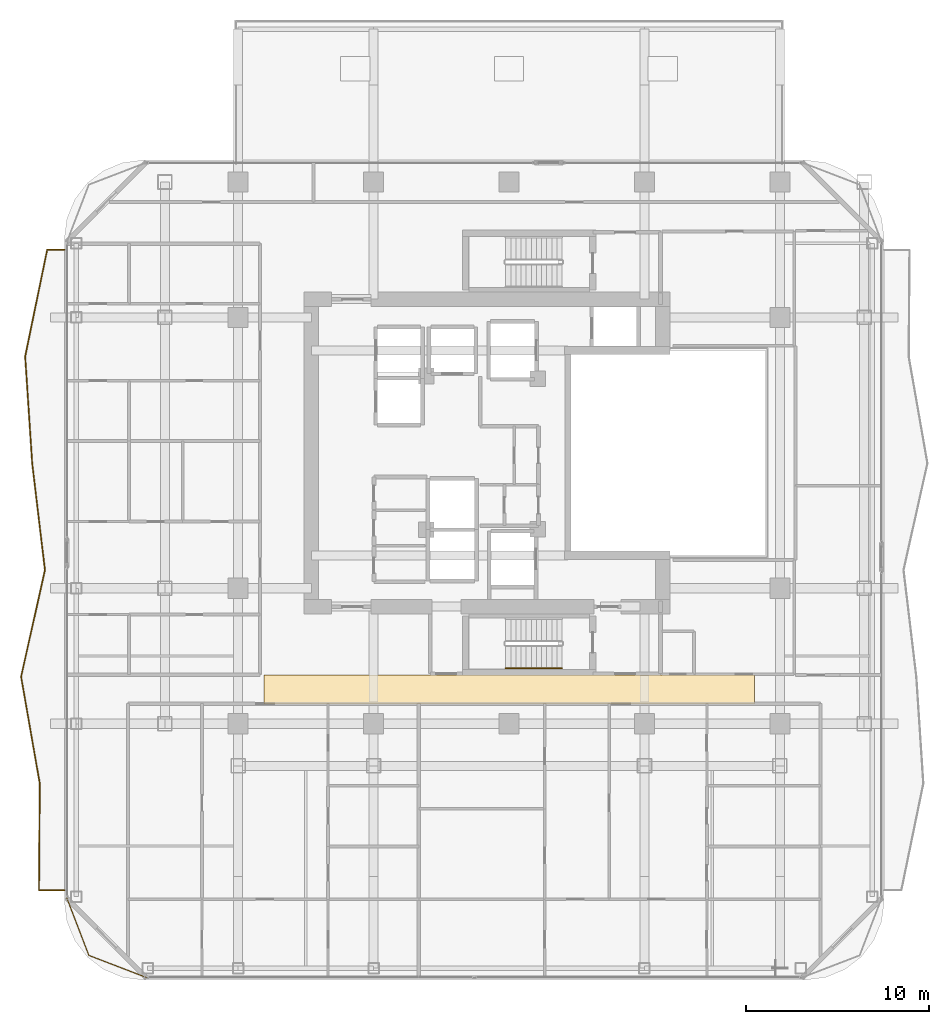
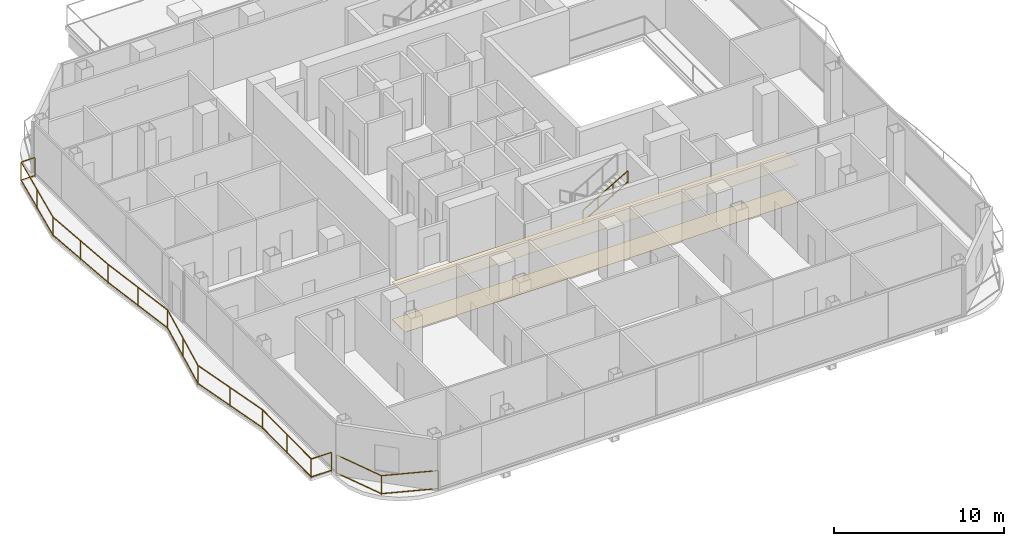
# One storey, part 22 of 24: 3 railings, 2 coverings.
"""IFC4 building model written with IfcOpenShell, lengths in metres."""

import ifcopenshell
import ifcopenshell.guid

model = None  # the IFC model being written
_history = None  # IfcOwnerHistory: only IFC2X3 demands one
_inside = {}  # id of a spatial element -> (the spatial element, [elements in it])
_under = {}  # id of a project, library or spatial element -> (it, [spatial elements below it])
_declared = {}  # id of a project -> (the project, [libraries it declares])
_typed = {}  # id of a type object -> (the type object, [elements of that type])
_made_of = {}  # id of a material, layer set ... -> (it, [elements and type objects made of it])


def new_model(schema):
    """Start an empty IFC model of exactly this schema.

    Asked for "IFC4X3", IfcOpenShell would pick the latest addendum, in which some entities
    have other attributes; the version numbers below select the first issue.
    IFC2X3 requires an IfcOwnerHistory on every rooted entity: one is made here for all.
    """
    global model, _history
    if schema == "IFC4X3":
        model = ifcopenshell.file(schema_version=(4, 3, 0, 0))
    else:
        model = ifcopenshell.file(schema=schema)
    _inside.clear()
    _under.clear()
    _declared.clear()
    _typed.clear()
    _made_of.clear()
    _history = None
    if model.schema == "IFC2X3":
        org = make("IfcOrganization", Name="unknown")
        user = make(
            "IfcPersonAndOrganization",
            ThePerson=make("IfcPerson", FamilyName="unknown"),
            TheOrganization=org,
        )
        app = make(
            "IfcApplication",
            ApplicationDeveloper=org,
            Version="unknown",
            ApplicationFullName="unknown",
            ApplicationIdentifier="unknown",
        )
        _history = make(
            "IfcOwnerHistory",
            OwningUser=user,
            OwningApplication=app,
            ChangeAction="ADDED",
            CreationDate=0,
        )
    return model


def make(cls, **values):
    """One entity of the class cls with the attributes given. An attribute that is None is left unset."""
    return model.create_entity(
        cls, **{name: value for name, value in values.items() if value is not None}
    )


def rooted(cls, **values):
    """An entity with a GlobalId (a new one), such as an element, a storey or a relation."""
    return make(cls, GlobalId=ifcopenshell.guid.new(), OwnerHistory=_history, **values)


def si_unit(unit_type, name, prefix=None):
    """IfcSIUnit, for example si_unit("LENGTHUNIT", "METRE", prefix="MILLI")."""
    return make("IfcSIUnit", UnitType=unit_type, Prefix=prefix, Name=name)


def assignment(units):
    """IfcUnitAssignment: the units of a project."""
    return None if units is None else make("IfcUnitAssignment", Units=units)


def point(xyz):
    """IfcCartesianPoint."""
    return None if xyz is None else make("IfcCartesianPoint", Coordinates=xyz)


def direction(xyz):
    """IfcDirection."""
    return None if xyz is None else make("IfcDirection", DirectionRatios=xyz)


def frame(location, z_axis=None, x_axis=None):
    """IfcAxis2Placement3D, a coordinate frame: its origin and axes. An axis left out is left unset."""
    return make(
        "IfcAxis2Placement3D",
        Location=point(location),
        Axis=direction(z_axis),
        RefDirection=direction(x_axis),
    )


def frame_2d(location, x_axis=None):
    """IfcAxis2Placement2D, a coordinate frame in the plane: its origin and x axis."""
    return make(
        "IfcAxis2Placement2D", Location=point(location), RefDirection=direction(x_axis)
    )


def origin():
    """The frame at (0, 0, 0) with its axes left unset."""
    return frame((0.0, 0.0, 0.0))


def origin_2d():
    """The frame at (0, 0) in the plane with its x axis left unset."""
    return frame_2d((0.0, 0.0))


def place(relative_to, where):
    """IfcLocalPlacement: puts the frame where relative to a parent placement (None: the world)."""
    return make(
        "IfcLocalPlacement", PlacementRelTo=relative_to, RelativePlacement=where
    )


def context(
    kind, dimensions, precision=None, world=None, true_north=None, identifier=None
):
    """IfcGeometricRepresentationContext, for example the 3D "Model" context."""
    return make(
        "IfcGeometricRepresentationContext",
        ContextIdentifier=identifier,
        ContextType=kind,
        CoordinateSpaceDimension=dimensions,
        Precision=precision,
        WorldCoordinateSystem=world,
        TrueNorth=true_north,
    )


def subcontext(parent, identifier, kind, view, scale=None):
    """IfcGeometricRepresentationSubContext, for example "Body" below "Model"."""
    return make(
        "IfcGeometricRepresentationSubContext",
        ContextIdentifier=identifier,
        ContextType=kind,
        ParentContext=parent,
        TargetScale=scale,
        TargetView=view,
    )


def project(units=None, contexts=None):
    """IfcProject with its units and contexts."""
    return rooted(
        "IfcProject",
        Name="project",
        RepresentationContexts=contexts,
        UnitsInContext=assignment(units),
    )


def spatial(cls, under=None, at=None, **own):
    """A site, building, storey or space (cls), placed at a placement, below another one or the project."""
    s = rooted(cls, ObjectPlacement=at, **own)
    if under is not None:
        _under.setdefault(under.id(), (under, []))[1].append(s)
    return s


def polyline(points):
    """IfcPolyline through the points."""
    return make("IfcPolyline", Points=[point(p) for p in points])


def profile(cls, at=None, kind="AREA", **sizes):
    """A parametric profile (cls). Its sizes go by their IFC names, for example OverallWidth=200.0."""
    return make(cls, ProfileType=kind, Position=at, **sizes)


def rectangle(**sizes):
    """IfcRectangleProfileDef."""
    return profile("IfcRectangleProfileDef", **sizes)


def outline(outer, holes=None, kind="AREA"):
    """IfcArbitraryClosedProfileDef: a profile drawn as a closed curve; with holes, ...WithVoids."""
    if holes is None:
        return make("IfcArbitraryClosedProfileDef", ProfileType=kind, OuterCurve=outer)
    return make(
        "IfcArbitraryProfileDefWithVoids",
        ProfileType=kind,
        OuterCurve=outer,
        InnerCurves=holes,
    )


def extrude(swept, where, along, depth):
    """IfcExtrudedAreaSolid: the profile swept, set in the frame where, extruded along a direction by depth."""
    return make(
        "IfcExtrudedAreaSolid",
        SweptArea=swept,
        Position=where,
        ExtrudedDirection=direction(along),
        Depth=depth,
    )


def shape(context_of_items, identifier, shape_type, items):
    """IfcShapeRepresentation: the items that make up one representation, for example the "Body"."""
    return make(
        "IfcShapeRepresentation",
        ContextOfItems=context_of_items,
        RepresentationIdentifier=identifier,
        RepresentationType=shape_type,
        Items=items,
    )


def material(Name=None, Category=None):
    """IfcMaterial."""
    return make("IfcMaterial", Name=Name, Category=Category)


def layer(
    of_material, thickness, ventilated=None, Name=None, Category=None, Priority=None
):
    """IfcMaterialLayer: one layer of a wall or slab, of a material (None: an air gap)."""
    return make(
        "IfcMaterialLayer",
        Material=of_material,
        LayerThickness=thickness,
        IsVentilated=ventilated,
        Name=Name,
        Category=Category,
        Priority=Priority,
    )


def layer_set(layers, Name=None):
    """IfcMaterialLayerSet."""
    return make("IfcMaterialLayerSet", MaterialLayers=layers, LayerSetName=Name)


def made_of(thing, what):
    """Note that an element or type object is made of a material, layer set ...; save() writes the relation."""
    if what is not None:
        _made_of.setdefault(what.id(), (what, []))[1].append(thing)
    return thing


def type_object(cls, material=None, **own):
    """A type object (cls), such as IfcWallType, which elements share."""
    return made_of(rooted(cls, **own), material)


def element(
    cls,
    number,
    at=None,
    inside=None,
    cuts=None,
    type_object=None,
    material=None,
    context=None,
    identifier="Body",
    shape_type=None,
    held_by="IfcProductDefinitionShape",
    body=None,
    shapes=None,
    **own,
):
    """One element of the class cls, such as IfcWall. Its Tag is "e" and its number.

    at: its placement. inside: the storey or other place that contains it. cuts: it is an
    opening in that element (IfcRelVoidsElement). A single representation is given by context,
    identifier, shape_type and body (its items); several are given by shapes. held_by: the class
    of the entity that holds the representations. save() writes the other relations.
    """
    e = rooted(cls, Tag="e%d" % number, ObjectPlacement=at, **own)
    if body is not None:
        shapes = [shape(context, identifier, shape_type, body)]
    if shapes is not None:
        e.Representation = make(held_by, Representations=shapes)
    if inside is not None:
        _inside.setdefault(inside.id(), (inside, []))[1].append(e)
    if cuts is not None:
        rooted(
            "IfcRelVoidsElement", RelatingBuildingElement=cuts, RelatedOpeningElement=e
        )
    if type_object is not None:
        _typed.setdefault(type_object.id(), (type_object, []))[1].append(e)
    return made_of(e, material)


def aggregate(whole, parts):
    """IfcRelAggregates: a whole, such as a stair, and the parts it consists of."""
    return rooted("IfcRelAggregates", RelatingObject=whole, RelatedObjects=parts)


def save(model, path):
    """Write the relations noted so far, then the file.

    IfcRelAggregates (storeys below a building ...), IfcRelContainedInSpatialStructure (elements
    in a storey), IfcRelDefinesByType, IfcRelAssociatesMaterial and IfcRelDeclares: one each for
    every whole, place, type object, material and project.
    """
    for whole, parts in _under.values():
        aggregate(whole, parts)
    for where, things in _inside.values():
        rooted(
            "IfcRelContainedInSpatialStructure",
            RelatedElements=things,
            RelatingStructure=where,
        )
    for kind, things in _typed.values():
        rooted("IfcRelDefinesByType", RelatedObjects=things, RelatingType=kind)
    for what, things in _made_of.values():
        rooted("IfcRelAssociatesMaterial", RelatedObjects=things, RelatingMaterial=what)
    for by, libraries in _declared.values():
        rooted("IfcRelDeclares", RelatingContext=by, RelatedDefinitions=libraries)
    model.write(path)


model = new_model("IFC4")

# Units and contexts
model_context = context("Model", 3, precision=1e-05, world=origin(), true_north=direction((0.0, 1.0)))
body_context = subcontext(model_context, "Body", "Model", "MODEL_VIEW")
ifc_project = project(units=[si_unit("LENGTHUNIT", "METRE"), si_unit("AREAUNIT", "SQUARE_METRE"), si_unit("VOLUMEUNIT", "CUBIC_METRE"), si_unit("PLANEANGLEUNIT", "RADIAN"), si_unit("MASSUNIT", "GRAM", prefix="KILO")], contexts=[model_context])

# Site, building, storey
site_placement = place(None, origin())
site = spatial("IfcSite", under=ifc_project, at=site_placement, CompositionType="ELEMENT")
building_placement = place(site_placement, origin())
building = spatial("IfcBuilding", under=site, at=building_placement, Name="Khorvyn Point Tower", CompositionType="ELEMENT")
storey_placement = place(building_placement, frame((0.0, 0.0, 191.39990234375)))
storey = spatial("IfcBuildingStorey", under=building, at=storey_placement, Name="L47", CompositionType="ELEMENT", Elevation=191.39990234375)

# Railings
ifc_material_1 = material(Name="Anodised aluminium 6063-T6 and laminated safety glass", Category="aluminium")
railing_type_1 = type_object("IfcRailingType", Name="Laminated Glass and Aluminium Balcony Guardrail 1400", PredefinedType="BALUSTRADE", material=ifc_material_1)
railing_1_placement = place(storey_placement, frame((-24.17431640625, -24.28125, 0.0)))
element("IfcRailing", 1, at=railing_1_placement, inside=storey, type_object=railing_type_1, Name="L47 Rounded Corner Edge Guardrail SW", PredefinedType="BALUSTRADE", context=body_context, shape_type="SweptSolid", body=[
    extrude(rectangle(XDim=0.048095703125, YDim=0.048095703125, at=origin_2d()), frame((0.0, 0.0, 1.3759765625), z_axis=(0.358343916815, -0.933589651443, 0.0), x_axis=(0.933589651443, 0.358343916815, 0.0)), (0.0, 0.0, 1.0), 3.400390625),
    extrude(rectangle(XDim=0.048095703125, YDim=0.048095703125, at=origin_2d()), frame((0.0, 0.0, 0.080078125), z_axis=(0.358343916815, -0.933589651443, 0.0), x_axis=(0.933589651443, 0.358343916815, 0.0)), (0.0, 0.0, 1.0), 3.400390625),
    extrude(rectangle(XDim=0.048095703125, YDim=0.048095703125, at=origin_2d()), frame((1.218505859375, -3.174560546875, 1.3759765625), z_axis=(0.933589651443, -0.358343916815, 0.0), x_axis=(0.358343916815, 0.933589651443, 0.0)), (0.0, 0.0, 1.0), 3.400390625),
    extrude(rectangle(XDim=0.048095703125, YDim=0.048095703125, at=origin_2d()), frame((1.218505859375, -3.174560546875, 0.080078125), z_axis=(0.933589651443, -0.358343916815, 0.0), x_axis=(0.358343916815, 0.933589651443, 0.0)), (0.0, 0.0, 1.0), 3.400390625),
    extrude(rectangle(XDim=0.0419921875, YDim=0.0419921875, at=origin_2d()), origin(), (0.0, 0.0, 1.0), 1.351806640625),
    extrude(rectangle(XDim=0.0419921875, YDim=0.0419921875, at=origin_2d()), frame((1.218505859375, -3.174560546875, 0.0)), (0.0, 0.0, 1.0), 1.351806640625),
    extrude(rectangle(XDim=0.0419921875, YDim=0.0419921875, at=origin_2d()), frame((4.39306640625, -4.39306640625, 0.0)), (0.0, 0.0, 1.0), 1.351806640625),
])
railing_2_placement = place(storey_placement, frame((-24.300048828125, 11.10009765625, 0.0)))
element("IfcRailing", 2, at=railing_2_placement, inside=storey, type_object=railing_type_1, Name="L47 West Balcony Guardrail", PredefinedType="BALUSTRADE", context=body_context, shape_type="SweptSolid", body=[
    extrude(rectangle(XDim=0.048095703125, YDim=0.048095703125, at=origin_2d()), frame((0.0, 0.0, 1.3759765625), z_axis=(-1.0, 0.0, 0.0), x_axis=(0.0, -1.0, 0.0)), (0.0, 0.0, 1.0), 0.932373046875),
    extrude(rectangle(XDim=0.048095703125, YDim=0.048095703125, at=origin_2d()), frame((0.0, 0.0, 0.080078125), z_axis=(-1.0, 0.0, 0.0), x_axis=(0.0, -1.0, 0.0)), (0.0, 0.0, 1.0), 0.932373046875),
    extrude(rectangle(XDim=0.048095703125, YDim=0.048095703125, at=origin_2d()), frame((-0.932373046875, 0.0, 1.3759765625), z_axis=(-0.201992928679, -0.979386980087, 0.0), x_axis=(0.979386980087, -0.201992928679, 0.0)), (0.0, 0.0, 1.0), 5.956298828125),
    extrude(rectangle(XDim=0.048095703125, YDim=0.048095703125, at=origin_2d()), frame((-0.932373046875, 0.0, 0.080078125), z_axis=(-0.201992928679, -0.979386980087, 0.0), x_axis=(0.979386980087, -0.201992928679, 0.0)), (0.0, 0.0, 1.0), 5.956298828125),
    extrude(rectangle(XDim=0.048095703125, YDim=0.048095703125, at=origin_2d()), frame((-2.135498046875, -5.83349609375, 1.3759765625), z_axis=(0.065609804276, -0.997845355545, 0.0), x_axis=(0.997845355545, 0.065609804276, 0.0)), (0.0, 0.0, 1.0), 5.845947265625),
    extrude(rectangle(XDim=0.048095703125, YDim=0.048095703125, at=origin_2d()), frame((-2.135498046875, -5.83349609375, 0.080078125), z_axis=(0.065609804276, -0.997845355545, 0.0), x_axis=(0.997845355545, 0.065609804276, 0.0)), (0.0, 0.0, 1.0), 5.845947265625),
    extrude(rectangle(XDim=0.048095703125, YDim=0.048095703125, at=origin_2d()), frame((-1.751953125, -11.666748046875, 1.3759765625), z_axis=(0.118688010745, -0.992931596891, 0.0), x_axis=(0.992931596891, 0.118688010745, 0.0)), (0.0, 0.0, 1.0), 5.874755859375),
    extrude(rectangle(XDim=0.048095703125, YDim=0.048095703125, at=origin_2d()), frame((-1.751953125, -11.666748046875, 0.080078125), z_axis=(0.118688010745, -0.992931596891, 0.0), x_axis=(0.992931596891, 0.118688010745, 0.0)), (0.0, 0.0, 1.0), 5.874755859375),
    extrude(rectangle(XDim=0.048095703125, YDim=0.048095703125, at=origin_2d()), frame((-1.0546875, -17.5, 1.3759765625), z_axis=(-0.217989898033, -0.975951025593, 0.0), x_axis=(0.975951025593, -0.217989898033, 0.0)), (0.0, 0.0, 1.0), 5.977294921875),
    extrude(rectangle(XDim=0.048095703125, YDim=0.048095703125, at=origin_2d()), frame((-1.0546875, -17.5, 0.080078125), z_axis=(-0.217989898033, -0.975951025593, 0.0), x_axis=(0.975951025593, -0.217989898033, 0.0)), (0.0, 0.0, 1.0), 5.977294921875),
    extrude(rectangle(XDim=0.048095703125, YDim=0.048095703125, at=origin_2d()), frame((-2.357666015625, -23.33349609375, 1.3759765625), z_axis=(0.172409332751, -0.985025391541, 0.0), x_axis=(0.985025391541, 0.172409332751, 0.0)), (0.0, 0.0, 1.0), 5.921875),
    extrude(rectangle(XDim=0.048095703125, YDim=0.048095703125, at=origin_2d()), frame((-2.357666015625, -23.33349609375, 0.080078125), z_axis=(0.172409332751, -0.985025391541, 0.0), x_axis=(0.985025391541, 0.172409332751, 0.0)), (0.0, 0.0, 1.0), 5.921875),
    extrude(rectangle(XDim=0.048095703125, YDim=0.048095703125, at=origin_2d()), frame((-1.336669921875, -29.166748046875, 1.3759765625), z_axis=(-0.00744967399, -0.999972250794, 0.0), x_axis=(0.999972250794, -0.00744967399, 0.0)), (0.0, 0.0, 1.0), 5.83349609375),
    extrude(rectangle(XDim=0.048095703125, YDim=0.048095703125, at=origin_2d()), frame((-1.336669921875, -29.166748046875, 0.080078125), z_axis=(-0.00744967399, -0.999972250794, 0.0), x_axis=(0.999972250794, -0.00744967399, 0.0)), (0.0, 0.0, 1.0), 5.83349609375),
    extrude(rectangle(XDim=0.048095703125, YDim=0.048095703125, at=origin_2d()), frame((-1.380126953125, -35.0, 1.3759765625), z_axis=(1.0, 0.0, 0.0), x_axis=(0.0, 1.0, 0.0)), (0.0, 0.0, 1.0), 1.380126953125),
    extrude(rectangle(XDim=0.048095703125, YDim=0.048095703125, at=origin_2d()), frame((-1.380126953125, -35.0, 0.080078125), z_axis=(1.0, 0.0, 0.0), x_axis=(0.0, 1.0, 0.0)), (0.0, 0.0, 1.0), 1.380126953125),
    extrude(rectangle(XDim=0.0419921875, YDim=0.0419921875, at=origin_2d()), origin(), (0.0, 0.0, 1.0), 1.351806640625),
    extrude(rectangle(XDim=0.0419921875, YDim=0.0419921875, at=origin_2d()), frame((-0.932373046875, 0.0, 0.0)), (0.0, 0.0, 1.0), 1.351806640625),
    extrude(rectangle(XDim=0.0419921875, YDim=0.0419921875, at=origin_2d()), frame((-1.533935546875, -2.916748046875, 0.0)), (0.0, 0.0, 1.0), 1.351806640625),
    extrude(rectangle(XDim=0.0419921875, YDim=0.0419921875, at=origin_2d()), frame((-2.135498046875, -5.83349609375, 0.0)), (0.0, 0.0, 1.0), 1.351806640625),
    extrude(rectangle(XDim=0.0419921875, YDim=0.0419921875, at=origin_2d()), frame((-1.94384765625, -8.75, 0.0)), (0.0, 0.0, 1.0), 1.351806640625),
    extrude(rectangle(XDim=0.0419921875, YDim=0.0419921875, at=origin_2d()), frame((-1.751953125, -11.666748046875, 0.0)), (0.0, 0.0, 1.0), 1.351806640625),
    extrude(rectangle(XDim=0.0419921875, YDim=0.0419921875, at=origin_2d()), frame((-1.4033203125, -14.58349609375, 0.0)), (0.0, 0.0, 1.0), 1.351806640625),
    extrude(rectangle(XDim=0.0419921875, YDim=0.0419921875, at=origin_2d()), frame((-1.0546875, -17.5, 0.0)), (0.0, 0.0, 1.0), 1.351806640625),
    extrude(rectangle(XDim=0.0419921875, YDim=0.0419921875, at=origin_2d()), frame((-1.7060546875, -20.416748046875, 0.0)), (0.0, 0.0, 1.0), 1.351806640625),
    extrude(rectangle(XDim=0.0419921875, YDim=0.0419921875, at=origin_2d()), frame((-2.357666015625, -23.33349609375, 0.0)), (0.0, 0.0, 1.0), 1.351806640625),
    extrude(rectangle(XDim=0.0419921875, YDim=0.0419921875, at=origin_2d()), frame((-1.84716796875, -26.25, 0.0)), (0.0, 0.0, 1.0), 1.351806640625),
    extrude(rectangle(XDim=0.0419921875, YDim=0.0419921875, at=origin_2d()), frame((-1.336669921875, -29.166748046875, 0.0)), (0.0, 0.0, 1.0), 1.351806640625),
    extrude(rectangle(XDim=0.0419921875, YDim=0.0419921875, at=origin_2d()), frame((-1.3583984375, -32.08349609375, 0.0)), (0.0, 0.0, 1.0), 1.351806640625),
    extrude(rectangle(XDim=0.0419921875, YDim=0.0419921875, at=origin_2d()), frame((-1.380126953125, -35.0, 0.0)), (0.0, 0.0, 1.0), 1.351806640625),
    extrude(rectangle(XDim=0.0419921875, YDim=0.0419921875, at=origin_2d()), frame((0.0, -35.0, 0.0)), (0.0, 0.0, 1.0), 1.351806640625),
])

# Coverings
ifc_material_2 = material(Name="Mineral-fibre acoustic ceiling board", Category="gypsum")
ifc_layer_1 = layer(ifc_material_2, 0.02001953125)
ifc_layer_set_1 = layer_set([ifc_layer_1], Name="Perforated Mineral-Fibre Acoustic Suspended Ceiling 20")
covering_type_1 = type_object("IfcCoveringType", Name="Perforated Mineral-Fibre Acoustic Suspended Ceiling 20", PredefinedType="CEILING", material=ifc_layer_set_1)
covering_1_placement = place(storey_placement, frame((0.0, 0.0, 2.7001953125)))
element("IfcCovering", 3, at=covering_1_placement, inside=storey, type_object=covering_type_1, Name="L47 South Corridor Acoustic Ceiling", PredefinedType="CEILING", context=body_context, shape_type="SweptSolid", body=[
    extrude(outline(polyline([(-13.39990234375, -13.7099609375), (13.39990234375, -13.7099609375), (13.39990234375, -12.139892578125), (-13.39990234375, -12.139892578125), (-13.39990234375, -13.7099609375)])), origin(), (0.0, 0.0, 1.0), 0.02001953125),
])
ifc_material_3 = material(Name="Vitrified porcelain terrazzo tile", Category="ceramic")
ifc_layer_2 = layer(ifc_material_3, 0.01806640625)
ifc_layer_set_2 = layer_set([ifc_layer_2], Name="Porcelain Terrazzo Corridor Floor Finish Tile 18")
covering_type_2 = type_object("IfcCoveringType", Name="Porcelain Terrazzo Corridor Floor Finish Tile 18", PredefinedType="FLOORING", material=ifc_layer_set_2)
covering_2_placement = place(storey_placement, origin())
element("IfcCovering", 4, at=covering_2_placement, inside=storey, type_object=covering_type_2, Name="L47 South Corridor Terrazzo Flooring", PredefinedType="FLOORING", context=body_context, shape_type="SweptSolid", body=[
    extrude(outline(polyline([(-13.39990234375, -13.7099609375), (13.39990234375, -13.7099609375), (13.39990234375, -12.139892578125), (-13.39990234375, -12.139892578125), (-13.39990234375, -13.7099609375)])), origin(), (0.0, 0.0, 1.0), 0.01806640625),
])

# Railing
ifc_material_4 = material(Name="Stainless steel 1.4301", Category="steel")
railing_type_2 = type_object("IfcRailingType", Name="Stainless Steel 304 Stair Pitch Handrail 900", PredefinedType="HANDRAIL", material=ifc_material_4)
railing_3_placement = place(storey_placement, frame((-0.179931640625, -11.77001953125, 2.112548828125)))
element("IfcRailing", 5, at=railing_3_placement, inside=storey, type_object=railing_type_2, Name="L47 ST-01 stair handrail 2", PredefinedType="HANDRAIL", context=body_context, shape_type="SweptSolid", body=[
    extrude(rectangle(XDim=0.048095703125, YDim=0.048095703125, at=origin_2d()), frame((0.0, 0.0, 0.8759765625), z_axis=(0.864873446163, 0.0, 0.501989962173), x_axis=(0.0, 1.0, 0.0)), (0.0, 0.0, 1.0), 3.56103515625),
    extrude(rectangle(XDim=0.048095703125, YDim=0.048095703125, at=origin_2d()), frame((0.0, 0.0, 0.080078125), z_axis=(0.864873446163, 0.0, 0.501989962173), x_axis=(0.0, 1.0, 0.0)), (0.0, 0.0, 1.0), 3.56103515625),
    extrude(rectangle(XDim=0.0419921875, YDim=0.0419921875, at=origin_2d()), origin(), (0.0, 0.0, 1.0), 0.851806640625),
    extrude(rectangle(XDim=0.0419921875, YDim=0.0419921875, at=origin_2d()), frame((1.026611328125, 0.0, 0.595947265625)), (0.0, 0.0, 1.0), 0.851806640625),
    extrude(rectangle(XDim=0.0419921875, YDim=0.0419921875, at=origin_2d()), frame((2.05322265625, 0.0, 1.191650390625)), (0.0, 0.0, 1.0), 0.851806640625),
    extrude(rectangle(XDim=0.0419921875, YDim=0.0419921875, at=origin_2d()), frame((3.079833984375, 0.0, 1.78759765625)), (0.0, 0.0, 1.0), 0.851806640625),
])

save(model, "model.ifc")
